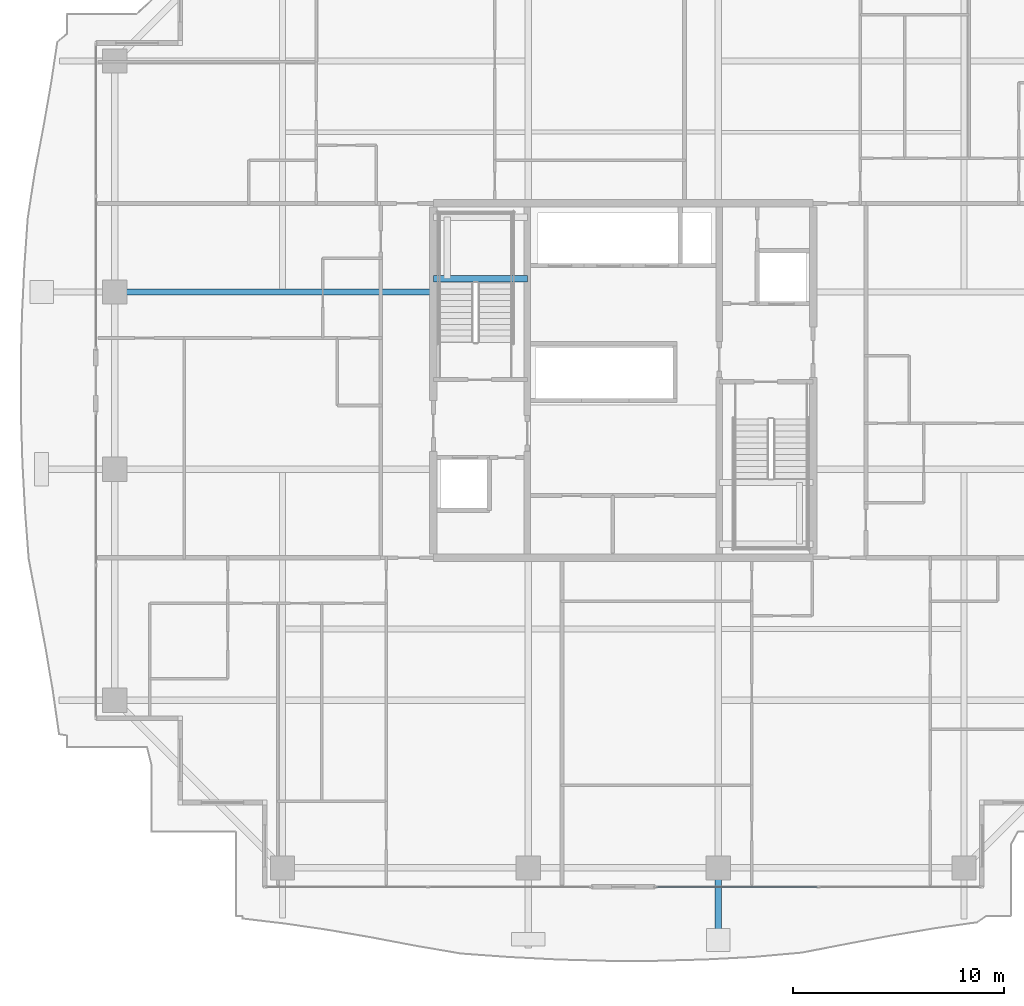
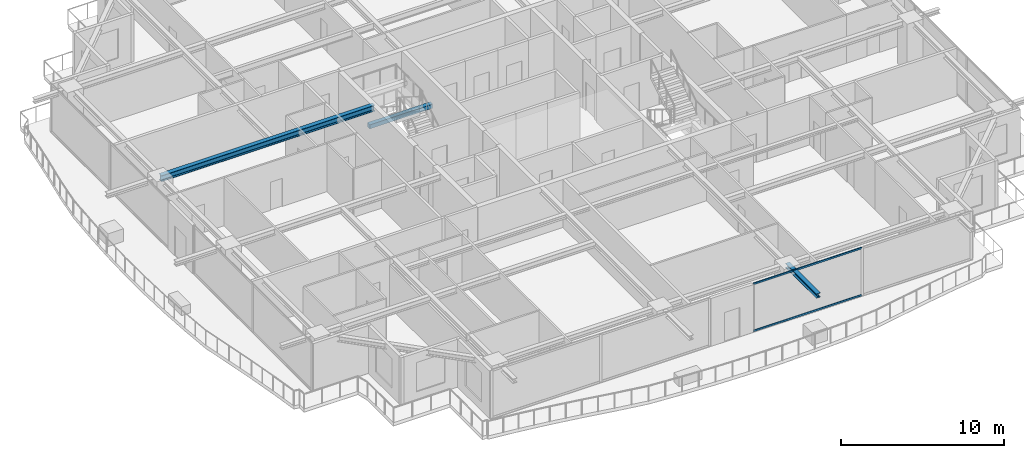
# One storey, part 10 of 35: 3 beams, 2 members, 1 element without a shape of its own.
"""IFC4 building model written with IfcOpenShell, lengths in metres."""

from ifc_helpers import new_model, si_unit, direction, frame, origin, origin_2d, place, context, subcontext, project, spatial, rectangle, hollow_rectangle, i_section, extrude, source, transform, mapped, material, layer, layer_set, material_profile, profile_set, type_object, element, aggregate, save


model = new_model("IFC4")

# Units and contexts
model_context = context("Model", 3, precision=1e-05, world=origin(), true_north=direction((0.0, 1.0)))
body_context = subcontext(model_context, "Body", "Model", "MODEL_VIEW")
ifc_project = project(units=[si_unit("LENGTHUNIT", "METRE"), si_unit("AREAUNIT", "SQUARE_METRE"), si_unit("VOLUMEUNIT", "CUBIC_METRE"), si_unit("PLANEANGLEUNIT", "RADIAN"), si_unit("MASSUNIT", "GRAM", prefix="KILO")], contexts=[model_context])

# Site, building, storey
site_placement = place(None, origin())
site = spatial("IfcSite", under=ifc_project, at=site_placement, CompositionType="ELEMENT")
building_placement = place(site_placement, origin())
building = spatial("IfcBuilding", under=site, at=building_placement, Name="Serunith Strait Residences", CompositionType="ELEMENT")
storey_placement = place(building_placement, frame((0.0, 0.0, 210.449951171875)))
storey = spatial("IfcBuildingStorey", under=building, at=storey_placement, Name="L52", CompositionType="ELEMENT", Elevation=210.449951171875)

# Beams
ifc_material_1 = material(Name="Steel S355J2", Category="steel")
ifc_material_profile_1 = material_profile(ifc_material_1, i_section(OverallWidth=0.300048828125, OverallDepth=0.449951171875, WebThickness=0.013916015625, FlangeThickness=0.02587890625, FilletRadius=0.027099609375, at=origin_2d()), Name="HEB 450")
ifc_profile_set_1 = profile_set([ifc_material_profile_1], Name="Steel S355J2")
beam_type_1 = type_object("IfcBeamType", Name="BM-HEB450", PredefinedType="BEAM", material=ifc_profile_set_1)
shared_shape_1 = source(origin(), body_context, "Body", "SweptSolid", [
    extrude(i_section(OverallWidth=0.300048828125, OverallDepth=0.449951171875, WebThickness=0.013916015625, FlangeThickness=0.02587890625, FilletRadius=0.027099609375, at=origin_2d()), origin(), (0.0, 0.0, 1.0), 15.099853515625),
])
beam_1_placement = place(storey_placement, frame((23.39990234375, 29.39990234375, 3.362060546875), z_axis=(-1.0, 0.0, 0.0), x_axis=(0.0, -1.0, 0.0)))
element("IfcBeam", 1, at=beam_1_placement, inside=storey, type_object=beam_type_1, Name="L52 Primary Floor Girder TC-W3", PredefinedType="BEAM", context=body_context, shape_type="MappedRepresentation", body=[
    mapped(shared_shape_1, transform((0.0, 0.0, 0.0), scale=1.0)),
])
ifc_material_profile_2 = material_profile(ifc_material_1, i_section(OverallWidth=0.300048828125, OverallDepth=0.320068359375, WebThickness=0.011474609375, FlangeThickness=0.0205078125, FilletRadius=0.027099609375, at=origin_2d()), Name="HEB 320")
ifc_profile_set_2 = profile_set([ifc_material_profile_2], Name="Steel S355J2")
beam_type_2 = type_object("IfcBeamType", Name="BM-HEB320", PredefinedType="BEAM", material=ifc_profile_set_2)
shared_shape_2 = source(origin(), body_context, "Body", "SweptSolid", [
    extrude(i_section(OverallWidth=0.300048828125, OverallDepth=0.320068359375, WebThickness=0.011474609375, FlangeThickness=0.0205078125, FilletRadius=0.027099609375, at=origin_2d()), origin(), (0.0, 0.0, 1.0), 3.800048828125),
])
beam_2_placement = place(storey_placement, frame((36.89990234375, 2.10009765625, 3.39697265625), z_axis=(0.0, -1.0, 0.0), x_axis=(1.0, 0.0, 0.0)))
element("IfcBeam", 2, at=beam_2_placement, inside=storey, type_object=beam_type_2, Name="L53 Cantilevered Balcony Rib TC-S3", PredefinedType="BEAM", context=body_context, shape_type="MappedRepresentation", body=[
    mapped(shared_shape_2, transform((0.0, 0.0, 0.0), scale=1.0)),
])
ifc_material_2 = material(Name="Concrete C60/75", Category="concrete")
ifc_material_profile_3 = material_profile(ifc_material_2, rectangle(XDim=0.300048828125, YDim=0.300048828125, at=origin_2d()), Name="RC 300x300")
ifc_profile_set_3 = profile_set([ifc_material_profile_3], Name="Concrete C60/75")
beam_type_3 = type_object("IfcBeamType", Name="BM-LAND-300x300", PredefinedType="BEAM", material=ifc_profile_set_3)
shared_shape_3 = source(origin(), body_context, "Body", "SweptSolid", [
    extrude(rectangle(XDim=0.300048828125, YDim=0.300048828125, at=origin_2d()), origin(), (0.0, 0.0, 1.0), 4.4501953125),
])
beam_3_placement = place(storey_placement, frame((23.39990234375, 30.030029296875, 1.574951171875), z_axis=(1.0, 0.0, 0.0), x_axis=(0.0, 1.0, 0.0)))
element("IfcBeam", 3, at=beam_3_placement, inside=storey, type_object=beam_type_3, Name="L52 ST-1 Landing Support Beam 1", PredefinedType="BEAM", context=body_context, shape_type="MappedRepresentation", body=[
    mapped(shared_shape_3, transform((0.0, 0.0, 0.0), scale=1.0)),
])

# Curtain wall, members
ifc_material_3 = material(Name="Pale-Champagne Anodised Aluminium", Category="aluminium")
ifc_layer = layer(ifc_material_3, 0.199951171875, Name="Pale-Champagne Anodised Aluminium")
ifc_layer_set = layer_set([ifc_layer], Name="Pale-Champagne Anodised Aluminium")
curtain_wall_type = type_object("IfcCurtainWallType", Name="CW-SYS4", PredefinedType="NOTDEFINED", material=ifc_layer_set)
curtain_wall_placement = place(storey_placement, origin())
curtain_wall = element("IfcCurtainWall", 4, at=curtain_wall_placement, inside=storey, type_object=curtain_wall_type, Name="L52 S Unitised Fritted Curtain Wall", PredefinedType="NOTDEFINED")
ifc_material_profile_4 = material_profile(ifc_material_3, hollow_rectangle(XDim=0.06005859375, YDim=0.139892578125, WallThickness=0.00341796875, InnerFilletRadius=0.00537109375, OuterFilletRadius=0.0087890625, at=origin_2d()), Name="ALU 140x60x3.5")
ifc_profile_set_4 = profile_set([ifc_material_profile_4], Name="Pale-Champagne Anodised Aluminium")
member_type = type_object("IfcMemberType", Name="CW-SYS4-TRAN", PredefinedType="USERDEFINED", material=ifc_profile_set_4)
shared_shape_4 = source(origin(), body_context, "Body", "SweptSolid", [
    extrude(hollow_rectangle(XDim=0.06005859375, YDim=0.139892578125, WallThickness=0.00341796875, InnerFilletRadius=0.00537109375, OuterFilletRadius=0.0087890625, at=origin_2d()), origin(), (0.0, 0.0, 1.0), 7.65234375),
])
member_1_placement = place(storey_placement, frame((33.965087890625, 1.199951171875, 0.030029296875), z_axis=(1.0, 0.0, 0.0), x_axis=(0.0, 1.0, 0.0)))
member_1 = element("IfcMember", 5, at=member_1_placement, type_object=member_type, Name="CW-4 transom 1.1", ObjectType="TRANSOM", PredefinedType="USERDEFINED", context=body_context, shape_type="MappedRepresentation", body=[
    mapped(shared_shape_4, transform((0.0, 0.0, 0.0), scale=1.0)),
])
member_2_placement = place(storey_placement, frame((33.965087890625, 1.199951171875, 3.545166015625), z_axis=(1.0, 0.0, 0.0), x_axis=(0.0, 1.0, 0.0)))
member_2 = element("IfcMember", 6, at=member_2_placement, type_object=member_type, Name="CW-4 transom 1.2", ObjectType="TRANSOM", PredefinedType="USERDEFINED", context=body_context, shape_type="MappedRepresentation", body=[
    mapped(shared_shape_4, transform((0.0, 0.0, 0.0), scale=1.0)),
])
aggregate(curtain_wall, [member_1, member_2])

save(model, "model.ifc")
